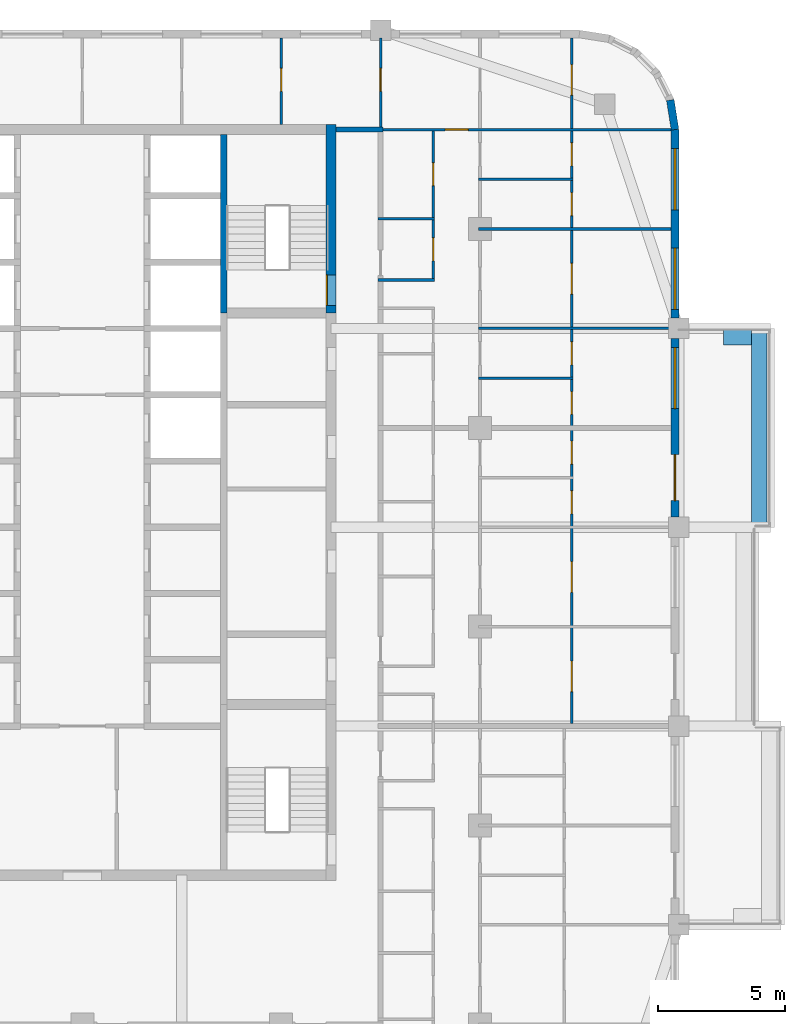
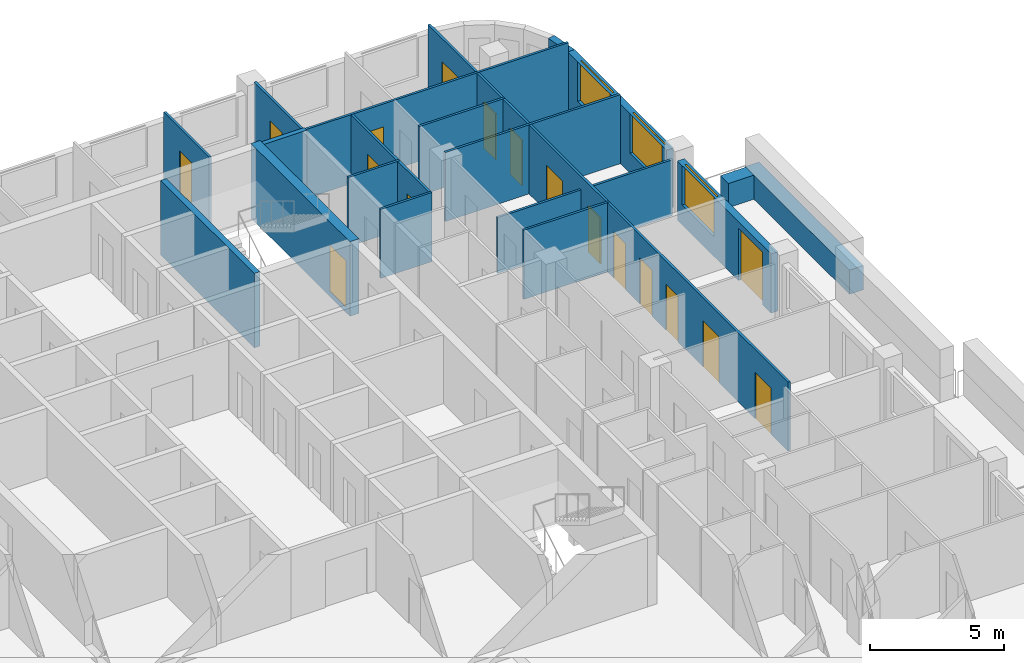
# One storey, part 11 of 16: 19 walls, 17 doors, 3 windows, 20 openings.
"""IFC4 building model written with IfcOpenShell, lengths in metres."""

from ifc_helpers import new_model, si_unit, direction, frame, frame_2d, origin, place, context, subcontext, project, spatial, rectangle, extrude, material, layer, layer_set, type_object, element, fill, save


model = new_model("IFC4")

# Units and contexts
model_context = context("Model", 3, precision=1e-05, world=origin(), true_north=direction((0.0, 1.0)))
body_context = subcontext(model_context, "Body", "Model", "MODEL_VIEW")
ifc_project = project(units=[si_unit("LENGTHUNIT", "METRE"), si_unit("AREAUNIT", "SQUARE_METRE"), si_unit("VOLUMEUNIT", "CUBIC_METRE"), si_unit("PLANEANGLEUNIT", "RADIAN"), si_unit("MASSUNIT", "GRAM", prefix="KILO")], contexts=[model_context])

# Site, building, storey
site_placement = place(None, origin())
site = spatial("IfcSite", under=ifc_project, at=site_placement, CompositionType="ELEMENT")
building_placement = place(site_placement, origin())
building = spatial("IfcBuilding", under=site, at=building_placement, Name="Ludao Terraces", CompositionType="ELEMENT")
storey_placement = place(building_placement, frame((0.0, 0.0, 207.5)))
storey = spatial("IfcBuildingStorey", under=building, at=storey_placement, Name="L56", CompositionType="ELEMENT", Elevation=207.5)

# Wall, opening, door
ifc_material_1 = material(Name="Concrete C50", Category="concrete")
ifc_layer_1 = layer(ifc_material_1, 0.39990234375)
ifc_layer_set_1 = layer_set([ifc_layer_1], Name="Core wall 400 C50")
wall_type_1 = type_object("IfcWallType", Name="Core wall 400 C50", PredefinedType="SOLIDWALL", material=ifc_layer_set_1)
wall_1_placement = place(storey_placement, frame((94.75, 77.300048828125, -0.25), z_axis=(0.0, 0.0, 1.0), x_axis=(0.0, 1.0, 0.0)))
wall_1 = element("IfcWall", 1, at=wall_1_placement, inside=storey, type_object=wall_type_1, Name="Core wall L56 outer-E-S2", PredefinedType="SOLIDWALL", context=body_context, shape_type="SweptSolid", body=[
    extrude(rectangle(XDim=7.39990234375, YDim=0.39990234375, at=frame_2d((3.699951171875, 0.0))), origin(), (0.0, 0.0, 1.0), 3.39990234375),
])
opening_1_placement = place(wall_1_placement, frame((0.300048828125, 0.0, 0.25)))
opening_1 = element("IfcOpeningElement", 2, at=opening_1_placement, cuts=wall_1, Name="Opening R20-110", PredefinedType="OPENING", context=body_context, shape_type="SweptSolid", body=[
    extrude(rectangle(XDim=1.199951171875, YDim=2.10009765625, at=frame_2d((0.60009765625, 1.050048828125))), frame((0.0, 0.2099609375, 0.0), z_axis=(0.0, -1.0, 0.0), x_axis=(1.0, 0.0, 0.0)), (0.0, 0.0, 1.0), 0.419921875),
])
ifc_material_2 = material(Name="Steel Q235", Category="steel")
door_type_1 = type_object("IfcDoorType", Name="INT Stair door 1200", OperationType="DOUBLE_DOOR_SINGLE_SWING", PredefinedType="DOOR", material=ifc_material_2)
door_1_placement = place(opening_1_placement, origin())
door_1 = element("IfcDoor", 3, at=door_1_placement, inside=storey, type_object=door_type_1, Name="DOOR 110", OperationType="DOUBLE_DOOR_SINGLE_SWING", OverallHeight=2.10009765625, OverallWidth=1.199951171875, PredefinedType="DOOR", context=body_context, shape_type="SweptSolid", body=[
    extrude(rectangle(XDim=1.199951171875, YDim=2.10009765625, at=frame_2d((0.60009765625, 1.050048828125))), frame((0.0, 0.18505859375, 0.0), z_axis=(0.0, -1.0, 0.0), x_axis=(1.0, 0.0, 0.0)), (0.0, 0.0, 1.0), 0.050048828125),
])
fill(opening_1, door_1)

# Walls
ifc_material_3 = material(Name="Concrete C40", Category="concrete")
ifc_layer_2 = layer(ifc_material_3, 0.60009765625)
ifc_layer_set_2 = layer_set([ifc_layer_2], Name="ENV Planter trough 600")
wall_type_2 = type_object("IfcWallType", Name="ENV Planter trough 600", PredefinedType="USERDEFINED", material=ifc_layer_set_2)
wall_2_placement = place(storey_placement, frame((111.550048828125, 68.89990234375, 0.0), z_axis=(0.0, 0.0, 1.0), x_axis=(0.0, 1.0, 0.0)))
element("IfcWall", 4, at=wall_2_placement, inside=storey, type_object=wall_type_2, Name="PL-L56-E3", ObjectType="PLANTER", PredefinedType="USERDEFINED", context=body_context, shape_type="SweptSolid", body=[
    extrude(rectangle(XDim=7.800048828125, YDim=0.60009765625, at=frame_2d((3.89990234375, 0.0))), origin(), (0.0, 0.0, 1.0), 1.10009765625),
])
wall_3_placement = place(storey_placement, frame((111.25, 76.35009765625, 0.0), z_axis=(0.0, 0.0, 1.0), x_axis=(-1.0, 0.0, 0.0)))
element("IfcWall", 5, at=wall_3_placement, inside=storey, type_object=wall_type_2, Name="PL-L56-E3-SB", ObjectType="PLANTER", PredefinedType="USERDEFINED", context=body_context, shape_type="SweptSolid", body=[
    extrude(rectangle(XDim=1.10009765625, YDim=0.60009765625, at=frame_2d((0.550048828125, 0.0))), origin(), (0.0, 0.0, 1.0), 1.10009765625),
])

# Wall, openings, door, window
ifc_material_4 = material(Name="Granite cladding", Category="masonry")
ifc_layer_3 = layer(ifc_material_4, 0.0400390625, Category="stone")
ifc_material_5 = material(Name="Mineral wool")
ifc_layer_4 = layer(ifc_material_5, 0.06005859375)
ifc_layer_5 = layer(ifc_material_3, 0.199951171875, Category="concrete")
ifc_layer_set_3 = layer_set([ifc_layer_3, ifc_layer_4, ifc_layer_5], Name="ENV Stone-clad wall 300")
wall_type_3 = type_object("IfcWallType", Name="ENV Stone-clad wall 300", PredefinedType="SOLIDWALL", material=ifc_layer_set_3)
wall_4_placement = place(storey_placement, frame((108.25, 69.300048828125, 0.0), z_axis=(0.0, 0.0, 1.0), x_axis=(0.0, 1.0, 0.0)))
wall_4 = element("IfcWall", 6, at=wall_4_placement, inside=storey, type_object=wall_type_3, Name="EW-L56-E4", PredefinedType="SOLIDWALL", context=body_context, shape_type="SweptSolid", body=[
    extrude(rectangle(XDim=7.0, YDim=0.300048828125, at=frame_2d((3.5, 0.0))), origin(), (0.0, 0.0, 1.0), 2.699951171875),
])
opening_2_placement = place(wall_4_placement, frame((0.64990234375, 0.0, 0.0)))
opening_2 = element("IfcOpeningElement", 7, at=opening_2_placement, cuts=wall_4, Name="Opening BD", PredefinedType="OPENING", context=body_context, shape_type="SweptSolid", body=[
    extrude(rectangle(XDim=1.800048828125, YDim=2.39990234375, at=frame_2d((0.89990234375, 1.199951171875))), frame((0.0, 0.16015625, 0.0), z_axis=(0.0, -1.0, 0.0), x_axis=(1.0, 0.0, 0.0)), (0.0, 0.0, 1.0), 0.320068359375),
])
opening_3_placement = place(wall_4_placement, frame((4.25, 0.0, 0.89990234375)))
opening_3 = element("IfcOpeningElement", 8, at=opening_3_placement, cuts=wall_4, Name="Opening W1", PredefinedType="OPENING", context=body_context, shape_type="SweptSolid", body=[
    extrude(rectangle(XDim=2.39990234375, YDim=1.800048828125, at=frame_2d((1.199951171875, 0.89990234375))), frame((0.0, 0.16015625, 0.0), z_axis=(0.0, -1.0, 0.0), x_axis=(1.0, 0.0, 0.0)), (0.0, 0.0, 1.0), 0.320068359375),
])
ifc_material_6 = material(Name="Aluminium glazed door", Category="aluminium")
ifc_layer_6 = layer(ifc_material_6, 0.06005859375)
ifc_layer_set_4 = layer_set([ifc_layer_6], Name="ENV Balcony door BD 1800x2400")
door_type_2 = type_object("IfcDoorType", Name="ENV Balcony door BD 1800x2400", OperationType="DOUBLE_DOOR_SINGLE_SWING", PredefinedType="DOOR", material=ifc_layer_set_4)
door_2_placement = place(opening_2_placement, origin())
door_2 = element("IfcDoor", 9, at=door_2_placement, inside=storey, type_object=door_type_2, Name="BD-L56-E4-1", OperationType="DOUBLE_DOOR_SINGLE_SWING", OverallHeight=2.39990234375, OverallWidth=1.800048828125, PredefinedType="DOOR", context=body_context, shape_type="SweptSolid", body=[
    extrude(rectangle(XDim=1.800048828125, YDim=2.39990234375, at=frame_2d((0.89990234375, 1.199951171875))), frame((0.0, 0.02490234375, 0.0), z_axis=(0.0, -1.0, 0.0), x_axis=(1.0, 0.0, 0.0)), (0.0, 0.0, 1.0), 0.050048828125),
])
fill(opening_2, door_2)
ifc_material_7 = material(Name="Clear glass in aluminium frame", Category="aluminium")
ifc_layer_7 = layer(ifc_material_7, 0.06005859375)
ifc_layer_set_5 = layer_set([ifc_layer_7], Name="ENV Window W1 2400x1800")
window_type = type_object("IfcWindowType", Name="ENV Window W1 2400x1800", PartitioningType="DOUBLE_PANEL_VERTICAL", PredefinedType="WINDOW", material=ifc_layer_set_5)
window_1_placement = place(opening_3_placement, origin())
window_1 = element("IfcWindow", 10, at=window_1_placement, inside=storey, type_object=window_type, Name="W-L56-E4-2", OverallHeight=1.800048828125, OverallWidth=2.39990234375, PartitioningType="DOUBLE_PANEL_VERTICAL", PredefinedType="WINDOW", context=body_context, shape_type="SweptSolid", body=[
    extrude(rectangle(XDim=2.39990234375, YDim=1.800048828125, at=frame_2d((1.199951171875, 0.89990234375))), frame((0.0, 0.030029296875, 0.0), z_axis=(0.0, -1.0, 0.0), x_axis=(1.0, 0.0, 0.0)), (0.0, 0.0, 1.0), 0.06005859375),
])
fill(opening_3, window_1)

# Wall, openings, windows
wall_5_placement = place(storey_placement, frame((108.25, 77.10009765625, 0.0), z_axis=(0.0, 0.0, 1.0), x_axis=(0.0, 1.0, 0.0)))
wall_5 = element("IfcWall", 11, at=wall_5_placement, inside=storey, type_object=wall_type_3, Name="EW-L56-E5", PredefinedType="SOLIDWALL", context=body_context, shape_type="SweptSolid", body=[
    extrude(rectangle(XDim=7.39990234375, YDim=0.300048828125, at=frame_2d((3.699951171875, 0.0))), origin(), (0.0, 0.0, 1.0), 2.699951171875),
])
opening_4_placement = place(wall_5_placement, frame((0.35009765625, 0.0, 0.89990234375)))
opening_4 = element("IfcOpeningElement", 12, at=opening_4_placement, cuts=wall_5, Name="Opening W1", PredefinedType="OPENING", context=body_context, shape_type="SweptSolid", body=[
    extrude(rectangle(XDim=2.39990234375, YDim=1.800048828125, at=frame_2d((1.199951171875, 0.89990234375))), frame((0.0, 0.16015625, 0.0), z_axis=(0.0, -1.0, 0.0), x_axis=(1.0, 0.0, 0.0)), (0.0, 0.0, 1.0), 0.320068359375),
])
opening_5_placement = place(wall_5_placement, frame((4.25, 0.0, 0.89990234375)))
opening_5 = element("IfcOpeningElement", 13, at=opening_5_placement, cuts=wall_5, Name="Opening W1", PredefinedType="OPENING", context=body_context, shape_type="SweptSolid", body=[
    extrude(rectangle(XDim=2.39990234375, YDim=1.800048828125, at=frame_2d((1.199951171875, 0.89990234375))), frame((0.0, 0.16015625, 0.0), z_axis=(0.0, -1.0, 0.0), x_axis=(1.0, 0.0, 0.0)), (0.0, 0.0, 1.0), 0.320068359375),
])
window_2_placement = place(opening_4_placement, origin())
window_2 = element("IfcWindow", 14, at=window_2_placement, inside=storey, type_object=window_type, Name="W-L56-E5-1", OverallHeight=1.800048828125, OverallWidth=2.39990234375, PartitioningType="DOUBLE_PANEL_VERTICAL", PredefinedType="WINDOW", context=body_context, shape_type="SweptSolid", body=[
    extrude(rectangle(XDim=2.39990234375, YDim=1.800048828125, at=frame_2d((1.199951171875, 0.89990234375))), frame((0.0, 0.030029296875, 0.0), z_axis=(0.0, -1.0, 0.0), x_axis=(1.0, 0.0, 0.0)), (0.0, 0.0, 1.0), 0.06005859375),
])
fill(opening_4, window_2)
window_3_placement = place(opening_5_placement, origin())
window_3 = element("IfcWindow", 15, at=window_3_placement, inside=storey, type_object=window_type, Name="W-L56-E5-2", OverallHeight=1.800048828125, OverallWidth=2.39990234375, PartitioningType="DOUBLE_PANEL_VERTICAL", PredefinedType="WINDOW", context=body_context, shape_type="SweptSolid", body=[
    extrude(rectangle(XDim=2.39990234375, YDim=1.800048828125, at=frame_2d((1.199951171875, 0.89990234375))), frame((0.0, 0.030029296875, 0.0), z_axis=(0.0, -1.0, 0.0), x_axis=(1.0, 0.0, 0.0)), (0.0, 0.0, 1.0), 0.06005859375),
])
fill(opening_5, window_3)

# Walls
wall_6_placement = place(storey_placement, frame((108.25, 84.5, 0.0), z_axis=(0.0, 0.0, 1.0), x_axis=(-0.156496880861, 0.987678452879, 0.0)))
element("IfcWall", 16, at=wall_6_placement, inside=storey, type_object=wall_type_3, Name="EW-L56-NE1", PredefinedType="SOLIDWALL", context=body_context, shape_type="SweptSolid", body=[
    extrude(rectangle(XDim=1.173095703125, YDim=0.300048828125, at=frame_2d((0.58642578125, 0.0))), origin(), (0.0, 0.0, 1.0), 2.699951171875),
])
ifc_material_8 = material(Name="Autoclaved aerated concrete block B06 A3.5", Category="concrete")
ifc_layer_8 = layer(ifc_material_8, 0.199951171875)
ifc_layer_set_6 = layer_set([ifc_layer_8], Name="INT Entrance wall 200")
wall_type_4 = type_object("IfcWallType", Name="INT Entrance wall 200", PredefinedType="PARTITIONING", material=ifc_layer_set_6)
wall_7_placement = place(storey_placement, frame((94.9501953125, 84.5, 0.0), z_axis=(0.0, 0.0, 1.0), x_axis=(1.0, 0.0, 0.0)))
element("IfcWall", 17, at=wall_7_placement, inside=storey, type_object=wall_type_4, Name="PW-L56-PW068", PredefinedType="PARTITIONING", context=body_context, shape_type="SweptSolid", body=[
    extrude(rectangle(XDim=1.849853515625, YDim=0.199951171875, at=frame_2d((0.9248046875, 0.0))), origin(), (0.0, 0.0, 1.0), 3.14990234375),
])
ifc_material_9 = material(Name="Gypsum plasterboard", Category="gypsum")
ifc_layer_9 = layer(ifc_material_9, 0.012451171875, Category="gypsum")
ifc_layer_10 = layer(ifc_material_5, 0.06005859375, Name="insulation")
ifc_layer_11 = layer(ifc_material_2, 0.014892578125, Name="stud")
ifc_layer_12 = layer(ifc_material_9, 0.012451171875, Category="gypsum")
ifc_layer_set_7 = layer_set([ifc_layer_9, ifc_layer_10, ifc_layer_11, ifc_layer_12], Name="INT Partition 100")
wall_type_5 = type_object("IfcWallType", Name="INT Partition 100", PredefinedType="PARTITIONING", material=ifc_layer_set_7)
wall_8_placement = place(storey_placement, frame((100.550048828125, 74.75, 0.0), z_axis=(0.0, 0.0, 1.0), x_axis=(1.0, 0.0, 0.0)))
element("IfcWall", 18, at=wall_8_placement, inside=storey, type_object=wall_type_5, Name="PW-L56-PW050", PredefinedType="PARTITIONING", context=body_context, shape_type="SweptSolid", body=[
    extrude(rectangle(XDim=3.699951171875, YDim=0.10009765625, at=frame_2d((1.85009765625, 0.0))), origin(), (0.0, 0.0, 1.0), 3.14990234375),
])
wall_9_placement = place(storey_placement, frame((100.550048828125, 76.699951171875, 0.0), z_axis=(0.0, 0.0, 1.0), x_axis=(1.0, 0.0, 0.0)))
element("IfcWall", 19, at=wall_9_placement, inside=storey, type_object=wall_type_5, Name="PW-L56-PW054", PredefinedType="PARTITIONING", context=body_context, shape_type="SweptSolid", body=[
    extrude(rectangle(XDim=7.550048828125, YDim=0.10009765625, at=frame_2d((3.77490234375, 0.0))), origin(), (0.0, 0.0, 1.0), 2.550048828125),
])
wall_10_placement = place(storey_placement, frame((96.60009765625, 78.60009765625, 0.0), z_axis=(0.0, 0.0, 1.0), x_axis=(1.0, 0.0, 0.0)))
element("IfcWall", 20, at=wall_10_placement, inside=storey, type_object=wall_type_5, Name="PW-L56-PW056", PredefinedType="PARTITIONING", context=body_context, shape_type="SweptSolid", body=[
    extrude(rectangle(XDim=2.219970703125, YDim=0.10009765625, at=frame_2d((1.10986328125, 0.0))), origin(), (0.0, 0.0, 1.0), 3.14990234375),
])
wall_11_placement = place(storey_placement, frame((100.550048828125, 80.60009765625, 0.0), z_axis=(0.0, 0.0, 1.0), x_axis=(1.0, 0.0, 0.0)))
element("IfcWall", 21, at=wall_11_placement, inside=storey, type_object=wall_type_5, Name="PW-L56-PW061", PredefinedType="PARTITIONING", context=body_context, shape_type="SweptSolid", body=[
    extrude(rectangle(XDim=7.550048828125, YDim=0.10009765625, at=frame_2d((3.77490234375, 0.0))), origin(), (0.0, 0.0, 1.0), 3.14990234375),
])
wall_12_placement = place(storey_placement, frame((96.60009765625, 81.0, 0.0), z_axis=(0.0, 0.0, 1.0), x_axis=(1.0, 0.0, 0.0)))
element("IfcWall", 22, at=wall_12_placement, inside=storey, type_object=wall_type_5, Name="PW-L56-PW062", PredefinedType="PARTITIONING", context=body_context, shape_type="SweptSolid", body=[
    extrude(rectangle(XDim=2.219970703125, YDim=0.10009765625, at=frame_2d((1.10986328125, 0.0))), origin(), (0.0, 0.0, 1.0), 3.14990234375),
])
wall_13_placement = place(storey_placement, frame((100.550048828125, 82.550048828125, 0.0), z_axis=(0.0, 0.0, 1.0), x_axis=(1.0, 0.0, 0.0)))
element("IfcWall", 23, at=wall_13_placement, inside=storey, type_object=wall_type_5, Name="PW-L56-PW064", PredefinedType="PARTITIONING", context=body_context, shape_type="SweptSolid", body=[
    extrude(rectangle(XDim=3.699951171875, YDim=0.10009765625, at=frame_2d((1.85009765625, 0.0))), origin(), (0.0, 0.0, 1.0), 3.14990234375),
])

# Wall, opening, door
wall_14_placement = place(storey_placement, frame((96.60009765625, 84.5, 0.0), z_axis=(0.0, 0.0, 1.0), x_axis=(1.0, 0.0, 0.0)))
wall_14 = element("IfcWall", 24, at=wall_14_placement, inside=storey, type_object=wall_type_5, Name="PW-L56-PW069", PredefinedType="PARTITIONING", context=body_context, shape_type="SweptSolid", body=[
    extrude(rectangle(XDim=11.5, YDim=0.10009765625, at=frame_2d((5.75, 0.0))), origin(), (0.0, 0.0, 1.0), 3.14990234375),
])
opening_6_placement = place(wall_14_placement, frame((2.635009765625, 0.0, 0.0)))
opening_6 = element("IfcOpeningElement", 25, at=opening_6_placement, cuts=wall_14, Name="Opening R20-132", PredefinedType="OPENING", context=body_context, shape_type="SweptSolid", body=[
    extrude(rectangle(XDim=0.89990234375, YDim=2.10009765625, at=frame_2d((0.449951171875, 1.050048828125))), frame((0.0, 0.06005859375, 0.0), z_axis=(0.0, -1.0, 0.0), x_axis=(1.0, 0.0, 0.0)), (0.0, 0.0, 1.0), 0.1201171875),
])
ifc_material_10 = material(Name="Timber door leaf", Category="wood")
door_type_3 = type_object("IfcDoorType", Name="INT Room door 900", OperationType="SINGLE_SWING_LEFT", PredefinedType="DOOR", material=ifc_material_10)
door_3_placement = place(opening_6_placement, origin())
door_3 = element("IfcDoor", 26, at=door_3_placement, inside=storey, type_object=door_type_3, Name="DOOR 132", OperationType="SINGLE_SWING_RIGHT", OverallHeight=2.10009765625, OverallWidth=0.89990234375, PredefinedType="DOOR", context=body_context, shape_type="SweptSolid", body=[
    extrude(rectangle(XDim=0.89990234375, YDim=2.10009765625, at=frame_2d((0.449951171875, 1.050048828125))), frame((0.0, 0.02490234375, 0.0), z_axis=(0.0, -1.0, 0.0), x_axis=(1.0, 0.0, 0.0)), (0.0, 0.0, 1.0), 0.050048828125),
])
fill(opening_6, door_3)

wall_15_placement = place(storey_placement, frame((92.800048828125, 84.7001953125, 0.0), z_axis=(0.0, 0.0, 1.0), x_axis=(0.0, 1.0, 0.0)))
wall_15 = element("IfcWall", 27, at=wall_15_placement, inside=storey, type_object=wall_type_5, Name="PW-L56-PW088", PredefinedType="PARTITIONING", context=body_context, shape_type="SweptSolid", body=[
    extrude(rectangle(XDim=3.39990234375, YDim=0.10009765625, at=frame_2d((1.699951171875, 0.0))), origin(), (0.0, 0.0, 1.0), 3.14990234375),
])
opening_7_placement = place(wall_15_placement, frame((1.2998046875, 0.0, 0.0)))
opening_7 = element("IfcOpeningElement", 28, at=opening_7_placement, cuts=wall_15, Name="Opening R20-139", PredefinedType="OPENING", context=body_context, shape_type="SweptSolid", body=[
    extrude(rectangle(XDim=0.89990234375, YDim=2.10009765625, at=frame_2d((0.449951171875, 1.050048828125))), frame((0.0, 0.06005859375, 0.0), z_axis=(0.0, -1.0, 0.0), x_axis=(1.0, 0.0, 0.0)), (0.0, 0.0, 1.0), 0.1201171875),
])
door_4_placement = place(opening_7_placement, origin())
door_4 = element("IfcDoor", 29, at=door_4_placement, inside=storey, type_object=door_type_3, Name="DOOR 139", OperationType="SINGLE_SWING_RIGHT", OverallHeight=2.10009765625, OverallWidth=0.89990234375, PredefinedType="DOOR", context=body_context, shape_type="SweptSolid", body=[
    extrude(rectangle(XDim=0.89990234375, YDim=2.10009765625, at=frame_2d((0.449951171875, 1.050048828125))), frame((0.0, 0.02490234375, 0.0), z_axis=(0.0, -1.0, 0.0), x_axis=(1.0, 0.0, 0.0)), (0.0, 0.0, 1.0), 0.050048828125),
])
fill(opening_7, door_4)

wall_16_placement = place(storey_placement, frame((96.699951171875, 84.60009765625, 0.0), z_axis=(0.0, 0.0, 1.0), x_axis=(0.0, 1.0, 0.0)))
wall_16 = element("IfcWall", 30, at=wall_16_placement, inside=storey, type_object=wall_type_5, Name="PW-L56-PW091", PredefinedType="PARTITIONING", context=body_context, shape_type="SweptSolid", body=[
    extrude(rectangle(XDim=3.5, YDim=0.10009765625, at=frame_2d((1.75, 0.0))), origin(), (0.0, 0.0, 1.0), 3.14990234375),
])
opening_8_placement = place(wall_16_placement, frame((1.39990234375, 0.0, 0.0)))
opening_8 = element("IfcOpeningElement", 31, at=opening_8_placement, cuts=wall_16, Name="Opening R20-140", PredefinedType="OPENING", context=body_context, shape_type="SweptSolid", body=[
    extrude(rectangle(XDim=0.89990234375, YDim=2.10009765625, at=frame_2d((0.449951171875, 1.050048828125))), frame((0.0, 0.06005859375, 0.0), z_axis=(0.0, -1.0, 0.0), x_axis=(1.0, 0.0, 0.0)), (0.0, 0.0, 1.0), 0.1201171875),
])
door_5_placement = place(opening_8_placement, origin())
door_5 = element("IfcDoor", 32, at=door_5_placement, inside=storey, type_object=door_type_3, Name="DOOR 140", OperationType="SINGLE_SWING_RIGHT", OverallHeight=2.10009765625, OverallWidth=0.89990234375, PredefinedType="DOOR", context=body_context, shape_type="SweptSolid", body=[
    extrude(rectangle(XDim=0.89990234375, YDim=2.10009765625, at=frame_2d((0.449951171875, 1.050048828125))), frame((0.0, 0.02490234375, 0.0), z_axis=(0.0, -1.0, 0.0), x_axis=(1.0, 0.0, 0.0)), (0.0, 0.0, 1.0), 0.050048828125),
])
fill(opening_8, door_5)

# Wall, openings, doors
wall_17_placement = place(storey_placement, frame((98.77001953125, 78.650146484375, 0.0), z_axis=(0.0, 0.0, 1.0), x_axis=(0.0, 1.0, 0.0)))
wall_17 = element("IfcWall", 33, at=wall_17_placement, inside=storey, type_object=wall_type_5, Name="PW-L56-PW095", PredefinedType="PARTITIONING", context=body_context, shape_type="SweptSolid", body=[
    extrude(rectangle(XDim=5.800048828125, YDim=0.10009765625, at=frame_2d((2.89990234375, 0.0))), origin(), (0.0, 0.0, 1.0), 3.14990234375),
])
opening_9_placement = place(wall_17_placement, frame((0.699951171875, 0.0, 0.0)))
opening_9 = element("IfcOpeningElement", 34, at=opening_9_placement, cuts=wall_17, Name="Opening R20-117", PredefinedType="OPENING", context=body_context, shape_type="SweptSolid", body=[
    extrude(rectangle(XDim=0.89990234375, YDim=2.10009765625, at=frame_2d((0.449951171875, 1.050048828125))), frame((0.0, 0.06005859375, 0.0), z_axis=(0.0, -1.0, 0.0), x_axis=(1.0, 0.0, 0.0)), (0.0, 0.0, 1.0), 0.1201171875),
])
opening_10_placement = place(wall_17_placement, frame((3.64990234375, 0.0, 0.0)))
opening_10 = element("IfcOpeningElement", 35, at=opening_10_placement, cuts=wall_17, Name="Opening R20-125", PredefinedType="OPENING", context=body_context, shape_type="SweptSolid", body=[
    extrude(rectangle(XDim=0.89990234375, YDim=2.10009765625, at=frame_2d((0.449951171875, 1.050048828125))), frame((0.0, 0.06005859375, 0.0), z_axis=(0.0, -1.0, 0.0), x_axis=(1.0, 0.0, 0.0)), (0.0, 0.0, 1.0), 0.1201171875),
])
door_type_4 = type_object("IfcDoorType", Name="INT Bathroom door 900", OperationType="SINGLE_SWING_LEFT", PredefinedType="DOOR", material=ifc_material_10)
door_6_placement = place(opening_9_placement, origin())
door_6 = element("IfcDoor", 36, at=door_6_placement, inside=storey, type_object=door_type_4, Name="DOOR 117", OperationType="SINGLE_SWING_LEFT", OverallHeight=2.10009765625, OverallWidth=0.89990234375, PredefinedType="DOOR", context=body_context, shape_type="SweptSolid", body=[
    extrude(rectangle(XDim=0.89990234375, YDim=2.10009765625, at=frame_2d((0.449951171875, 1.050048828125))), frame((0.0, 0.02490234375, 0.0), z_axis=(0.0, -1.0, 0.0), x_axis=(1.0, 0.0, 0.0)), (0.0, 0.0, 1.0), 0.050048828125),
])
fill(opening_9, door_6)
door_7_placement = place(opening_10_placement, origin())
door_7 = element("IfcDoor", 37, at=door_7_placement, inside=storey, type_object=door_type_3, Name="DOOR 125", OperationType="SINGLE_SWING_LEFT", OverallHeight=2.10009765625, OverallWidth=0.89990234375, PredefinedType="DOOR", context=body_context, shape_type="SweptSolid", body=[
    extrude(rectangle(XDim=0.89990234375, YDim=2.10009765625, at=frame_2d((0.449951171875, 1.050048828125))), frame((0.0, 0.02490234375, 0.0), z_axis=(0.0, -1.0, 0.0), x_axis=(1.0, 0.0, 0.0)), (0.0, 0.0, 1.0), 0.050048828125),
])
fill(opening_10, door_7)

wall_18_placement = place(storey_placement, frame((104.199951171875, 61.2001953125, 0.0), z_axis=(0.0, 0.0, 1.0), x_axis=(0.0, 1.0, 0.0)))
wall_18 = element("IfcWall", 38, at=wall_18_placement, inside=storey, type_object=wall_type_5, Name="PW-L56-PW098", PredefinedType="PARTITIONING", context=body_context, shape_type="SweptSolid", body=[
    extrude(rectangle(XDim=26.89990234375, YDim=0.10009765625, at=frame_2d((13.449951171875, 0.0))), origin(), (0.0, 0.0, 1.0), 3.14990234375),
])
opening_11_placement = place(wall_18_placement, frame((1.25, 0.0, 0.0)))
opening_11 = element("IfcOpeningElement", 39, at=opening_11_placement, cuts=wall_18, Name="Opening R20-057", PredefinedType="OPENING", context=body_context, shape_type="SweptSolid", body=[
    extrude(rectangle(XDim=1.199951171875, YDim=2.10009765625, at=frame_2d((0.60009765625, 1.050048828125))), frame((0.0, 0.06005859375, 0.0), z_axis=(0.0, -1.0, 0.0), x_axis=(1.0, 0.0, 0.0)), (0.0, 0.0, 1.0), 0.1201171875),
])
opening_12_placement = place(wall_18_placement, frame((5.14990234375, 0.0, 0.0)))
opening_12 = element("IfcOpeningElement", 40, at=opening_12_placement, cuts=wall_18, Name="Opening R20-069", PredefinedType="OPENING", context=body_context, shape_type="SweptSolid", body=[
    extrude(rectangle(XDim=1.199951171875, YDim=2.10009765625, at=frame_2d((0.60009765625, 1.050048828125))), frame((0.0, 0.06005859375, 0.0), z_axis=(0.0, -1.0, 0.0), x_axis=(1.0, 0.0, 0.0)), (0.0, 0.0, 1.0), 0.1201171875),
])
opening_13_placement = place(wall_18_placement, frame((8.224853515625, 0.0, 0.0)))
opening_13 = element("IfcOpeningElement", 41, at=opening_13_placement, cuts=wall_18, Name="Opening R20-077", PredefinedType="OPENING", context=body_context, shape_type="SweptSolid", body=[
    extrude(rectangle(XDim=0.89990234375, YDim=2.10009765625, at=frame_2d((0.449951171875, 1.050048828125))), frame((0.0, 0.06005859375, 0.0), z_axis=(0.0, -1.0, 0.0), x_axis=(1.0, 0.0, 0.0)), (0.0, 0.0, 1.0), 0.1201171875),
])
opening_14_placement = place(wall_18_placement, frame((10.1748046875, 0.0, 0.0)))
opening_14 = element("IfcOpeningElement", 42, at=opening_14_placement, cuts=wall_18, Name="Opening R20-085", PredefinedType="OPENING", context=body_context, shape_type="SweptSolid", body=[
    extrude(rectangle(XDim=0.89990234375, YDim=2.10009765625, at=frame_2d((0.449951171875, 1.050048828125))), frame((0.0, 0.06005859375, 0.0), z_axis=(0.0, -1.0, 0.0), x_axis=(1.0, 0.0, 0.0)), (0.0, 0.0, 1.0), 0.1201171875),
])
opening_15_placement = place(wall_18_placement, frame((12.125, 0.0, 0.0)))
opening_15 = element("IfcOpeningElement", 43, at=opening_15_placement, cuts=wall_18, Name="Opening R20-090", PredefinedType="OPENING", context=body_context, shape_type="SweptSolid", body=[
    extrude(rectangle(XDim=0.89990234375, YDim=2.10009765625, at=frame_2d((0.449951171875, 1.050048828125))), frame((0.0, 0.06005859375, 0.0), z_axis=(0.0, -1.0, 0.0), x_axis=(1.0, 0.0, 0.0)), (0.0, 0.0, 1.0), 0.1201171875),
])
opening_16_placement = place(wall_18_placement, frame((14.074951171875, 0.0, 0.0)))
opening_16 = element("IfcOpeningElement", 44, at=opening_16_placement, cuts=wall_18, Name="Opening R20-102", PredefinedType="OPENING", context=body_context, shape_type="SweptSolid", body=[
    extrude(rectangle(XDim=0.89990234375, YDim=2.10009765625, at=frame_2d((0.449951171875, 1.050048828125))), frame((0.0, 0.06005859375, 0.0), z_axis=(0.0, -1.0, 0.0), x_axis=(1.0, 0.0, 0.0)), (0.0, 0.0, 1.0), 0.1201171875),
])
opening_17_placement = place(wall_18_placement, frame((16.849853515625, 0.0, 0.0)))
opening_17 = element("IfcOpeningElement", 45, at=opening_17_placement, cuts=wall_18, Name="Opening R20-112", PredefinedType="OPENING", context=body_context, shape_type="SweptSolid", body=[
    extrude(rectangle(XDim=1.199951171875, YDim=2.10009765625, at=frame_2d((0.60009765625, 1.050048828125))), frame((0.0, 0.06005859375, 0.0), z_axis=(0.0, -1.0, 0.0), x_axis=(1.0, 0.0, 0.0)), (0.0, 0.0, 1.0), 0.1201171875),
])
opening_18_placement = place(wall_18_placement, frame((19.9248046875, 0.0, 0.0)))
opening_18 = element("IfcOpeningElement", 46, at=opening_18_placement, cuts=wall_18, Name="Opening R20-122", PredefinedType="OPENING", context=body_context, shape_type="SweptSolid", body=[
    extrude(rectangle(XDim=0.89990234375, YDim=2.10009765625, at=frame_2d((0.449951171875, 1.050048828125))), frame((0.0, 0.06005859375, 0.0), z_axis=(0.0, -1.0, 0.0), x_axis=(1.0, 0.0, 0.0)), (0.0, 0.0, 1.0), 0.1201171875),
])
opening_19_placement = place(wall_18_placement, frame((21.875, 0.0, 0.0)))
opening_19 = element("IfcOpeningElement", 47, at=opening_19_placement, cuts=wall_18, Name="Opening R20-129", PredefinedType="OPENING", context=body_context, shape_type="SweptSolid", body=[
    extrude(rectangle(XDim=0.89990234375, YDim=2.10009765625, at=frame_2d((0.449951171875, 1.050048828125))), frame((0.0, 0.06005859375, 0.0), z_axis=(0.0, -1.0, 0.0), x_axis=(1.0, 0.0, 0.0)), (0.0, 0.0, 1.0), 0.1201171875),
])
opening_20_placement = place(wall_18_placement, frame((24.64990234375, 0.0, 0.0)))
opening_20 = element("IfcOpeningElement", 48, at=opening_20_placement, cuts=wall_18, Name="Opening R20-142", PredefinedType="OPENING", context=body_context, shape_type="SweptSolid", body=[
    extrude(rectangle(XDim=1.199951171875, YDim=2.10009765625, at=frame_2d((0.60009765625, 1.050048828125))), frame((0.0, 0.06005859375, 0.0), z_axis=(0.0, -1.0, 0.0), x_axis=(1.0, 0.0, 0.0)), (0.0, 0.0, 1.0), 0.1201171875),
])
door_8_placement = place(opening_13_placement, origin())
door_8 = element("IfcDoor", 49, at=door_8_placement, inside=storey, type_object=door_type_4, Name="DOOR 077", OperationType="SINGLE_SWING_LEFT", OverallHeight=2.10009765625, OverallWidth=0.89990234375, PredefinedType="DOOR", context=body_context, shape_type="SweptSolid", body=[
    extrude(rectangle(XDim=0.89990234375, YDim=2.10009765625, at=frame_2d((0.449951171875, 1.050048828125))), frame((0.0, 0.02490234375, 0.0), z_axis=(0.0, -1.0, 0.0), x_axis=(1.0, 0.0, 0.0)), (0.0, 0.0, 1.0), 0.050048828125),
])
fill(opening_13, door_8)
door_9_placement = place(opening_15_placement, origin())
door_9 = element("IfcDoor", 50, at=door_9_placement, inside=storey, type_object=door_type_4, Name="DOOR 090", OperationType="SINGLE_SWING_LEFT", OverallHeight=2.10009765625, OverallWidth=0.89990234375, PredefinedType="DOOR", context=body_context, shape_type="SweptSolid", body=[
    extrude(rectangle(XDim=0.89990234375, YDim=2.10009765625, at=frame_2d((0.449951171875, 1.050048828125))), frame((0.0, 0.02490234375, 0.0), z_axis=(0.0, -1.0, 0.0), x_axis=(1.0, 0.0, 0.0)), (0.0, 0.0, 1.0), 0.050048828125),
])
fill(opening_15, door_9)
door_10_placement = place(opening_18_placement, origin())
door_10 = element("IfcDoor", 51, at=door_10_placement, inside=storey, type_object=door_type_4, Name="DOOR 122", OperationType="SINGLE_SWING_LEFT", OverallHeight=2.10009765625, OverallWidth=0.89990234375, PredefinedType="DOOR", context=body_context, shape_type="SweptSolid", body=[
    extrude(rectangle(XDim=0.89990234375, YDim=2.10009765625, at=frame_2d((0.449951171875, 1.050048828125))), frame((0.0, 0.02490234375, 0.0), z_axis=(0.0, -1.0, 0.0), x_axis=(1.0, 0.0, 0.0)), (0.0, 0.0, 1.0), 0.050048828125),
])
fill(opening_18, door_10)
door_type_5 = type_object("IfcDoorType", Name="INT Double door 1200", OperationType="DOUBLE_DOOR_SINGLE_SWING", PredefinedType="DOOR", material=ifc_material_10)
door_11_placement = place(opening_11_placement, origin())
door_11 = element("IfcDoor", 52, at=door_11_placement, inside=storey, type_object=door_type_5, Name="DOOR 057", OperationType="DOUBLE_DOOR_SINGLE_SWING", OverallHeight=2.10009765625, OverallWidth=1.199951171875, PredefinedType="DOOR", context=body_context, shape_type="SweptSolid", body=[
    extrude(rectangle(XDim=1.199951171875, YDim=2.10009765625, at=frame_2d((0.60009765625, 1.050048828125))), frame((0.0, 0.02490234375, 0.0), z_axis=(0.0, -1.0, 0.0), x_axis=(1.0, 0.0, 0.0)), (0.0, 0.0, 1.0), 0.050048828125),
])
fill(opening_11, door_11)
door_12_placement = place(opening_12_placement, origin())
door_12 = element("IfcDoor", 53, at=door_12_placement, inside=storey, type_object=door_type_5, Name="DOOR 069", OperationType="DOUBLE_DOOR_SINGLE_SWING", OverallHeight=2.10009765625, OverallWidth=1.199951171875, PredefinedType="DOOR", context=body_context, shape_type="SweptSolid", body=[
    extrude(rectangle(XDim=1.199951171875, YDim=2.10009765625, at=frame_2d((0.60009765625, 1.050048828125))), frame((0.0, 0.02490234375, 0.0), z_axis=(0.0, -1.0, 0.0), x_axis=(1.0, 0.0, 0.0)), (0.0, 0.0, 1.0), 0.050048828125),
])
fill(opening_12, door_12)
door_13_placement = place(opening_17_placement, origin())
door_13 = element("IfcDoor", 54, at=door_13_placement, inside=storey, type_object=door_type_5, Name="DOOR 112", OperationType="DOUBLE_DOOR_SINGLE_SWING", OverallHeight=2.10009765625, OverallWidth=1.199951171875, PredefinedType="DOOR", context=body_context, shape_type="SweptSolid", body=[
    extrude(rectangle(XDim=1.199951171875, YDim=2.10009765625, at=frame_2d((0.60009765625, 1.050048828125))), frame((0.0, 0.02490234375, 0.0), z_axis=(0.0, -1.0, 0.0), x_axis=(1.0, 0.0, 0.0)), (0.0, 0.0, 1.0), 0.050048828125),
])
fill(opening_17, door_13)
door_14_placement = place(opening_20_placement, origin())
door_14 = element("IfcDoor", 55, at=door_14_placement, inside=storey, type_object=door_type_5, Name="DOOR 142", OperationType="DOUBLE_DOOR_SINGLE_SWING", OverallHeight=2.10009765625, OverallWidth=1.199951171875, PredefinedType="DOOR", context=body_context, shape_type="SweptSolid", body=[
    extrude(rectangle(XDim=1.199951171875, YDim=2.10009765625, at=frame_2d((0.60009765625, 1.050048828125))), frame((0.0, 0.02490234375, 0.0), z_axis=(0.0, -1.0, 0.0), x_axis=(1.0, 0.0, 0.0)), (0.0, 0.0, 1.0), 0.050048828125),
])
fill(opening_20, door_14)
door_15_placement = place(opening_14_placement, origin())
door_15 = element("IfcDoor", 56, at=door_15_placement, inside=storey, type_object=door_type_3, Name="DOOR 085", OperationType="SINGLE_SWING_RIGHT", OverallHeight=2.10009765625, OverallWidth=0.89990234375, PredefinedType="DOOR", context=body_context, shape_type="SweptSolid", body=[
    extrude(rectangle(XDim=0.89990234375, YDim=2.10009765625, at=frame_2d((0.449951171875, 1.050048828125))), frame((0.0, 0.02490234375, 0.0), z_axis=(0.0, -1.0, 0.0), x_axis=(1.0, 0.0, 0.0)), (0.0, 0.0, 1.0), 0.050048828125),
])
fill(opening_14, door_15)
door_16_placement = place(opening_16_placement, origin())
door_16 = element("IfcDoor", 57, at=door_16_placement, inside=storey, type_object=door_type_3, Name="DOOR 102", OperationType="SINGLE_SWING_RIGHT", OverallHeight=2.10009765625, OverallWidth=0.89990234375, PredefinedType="DOOR", context=body_context, shape_type="SweptSolid", body=[
    extrude(rectangle(XDim=0.89990234375, YDim=2.10009765625, at=frame_2d((0.449951171875, 1.050048828125))), frame((0.0, 0.02490234375, 0.0), z_axis=(0.0, -1.0, 0.0), x_axis=(1.0, 0.0, 0.0)), (0.0, 0.0, 1.0), 0.050048828125),
])
fill(opening_16, door_16)
door_17_placement = place(opening_19_placement, origin())
door_17 = element("IfcDoor", 58, at=door_17_placement, inside=storey, type_object=door_type_3, Name="DOOR 129", OperationType="SINGLE_SWING_LEFT", OverallHeight=2.10009765625, OverallWidth=0.89990234375, PredefinedType="DOOR", context=body_context, shape_type="SweptSolid", body=[
    extrude(rectangle(XDim=0.89990234375, YDim=2.10009765625, at=frame_2d((0.449951171875, 1.050048828125))), frame((0.0, 0.02490234375, 0.0), z_axis=(0.0, -1.0, 0.0), x_axis=(1.0, 0.0, 0.0)), (0.0, 0.0, 1.0), 0.050048828125),
])
fill(opening_19, door_17)

# Wall
ifc_layer_13 = layer(ifc_material_1, 0.25)
ifc_layer_set_8 = layer_set([ifc_layer_13], Name="Shaft wall 250 C50")
wall_type_6 = type_object("IfcWallType", Name="Shaft wall 250 C50", PredefinedType="SOLIDWALL", material=ifc_layer_set_8)
wall_19_placement = place(storey_placement, frame((90.550048828125, 77.300048828125, -0.25), z_axis=(0.0, 0.0, 1.0), x_axis=(0.0, 1.0, 0.0)))
element("IfcWall", 59, at=wall_19_placement, inside=storey, type_object=wall_type_6, Name="Core wall L56 back-E-S2", PredefinedType="SOLIDWALL", context=body_context, shape_type="SweptSolid", body=[
    extrude(rectangle(XDim=7.0, YDim=0.25, at=frame_2d((3.5, 0.0))), origin(), (0.0, 0.0, 1.0), 3.39990234375),
])

save(model, "model.ifc")
